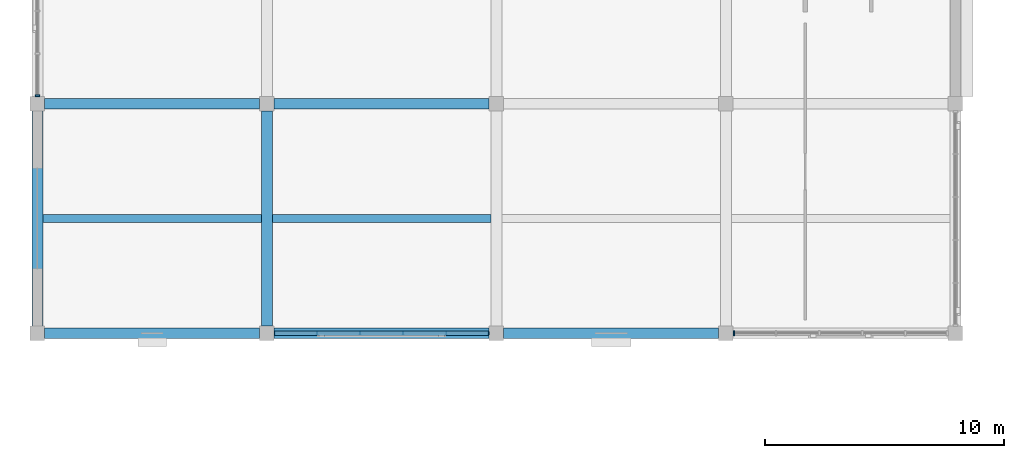
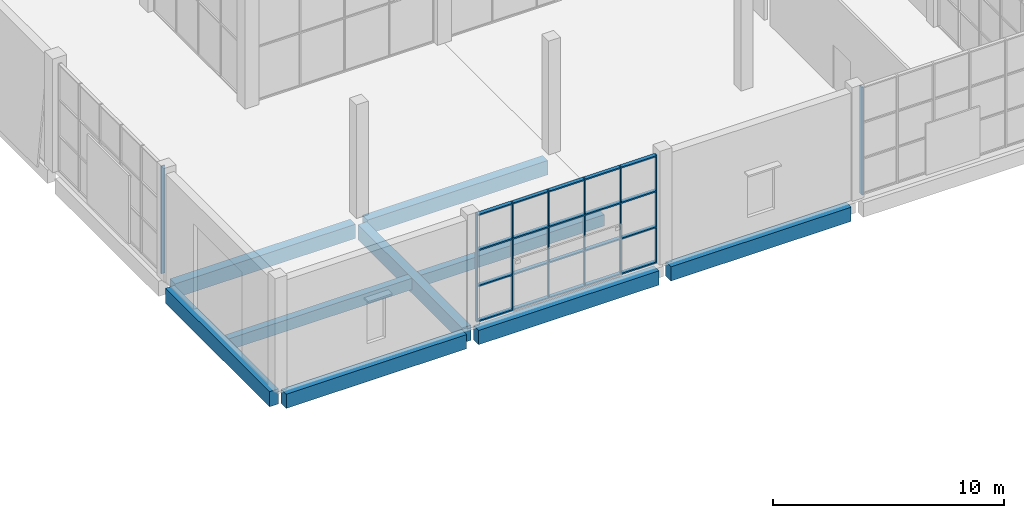
# One storey, part 17 of 84: 12 members, 9 beams, 3 elements without a shape of their own.
"""IFC4 building model written with IfcOpenShell, lengths in metres."""

from ifc_helpers import new_model, si_unit, direction, frame, origin, origin_2d, place, context, subcontext, project, spatial, rectangle, extrude, material, material_profile, profile_set, type_object, element, aggregate, save


model = new_model("IFC4")

# Units and contexts
model_context = context("Model", 3, precision=1e-05, world=origin(), true_north=direction((0.0, 1.0)))
body_context = subcontext(model_context, "Body", "Model", "MODEL_VIEW")
ifc_project = project(units=[si_unit("LENGTHUNIT", "METRE"), si_unit("AREAUNIT", "SQUARE_METRE"), si_unit("VOLUMEUNIT", "CUBIC_METRE"), si_unit("PLANEANGLEUNIT", "RADIAN"), si_unit("MASSUNIT", "GRAM", prefix="KILO")], contexts=[model_context])

# Site, building, storey
site_placement = place(None, origin())
site = spatial("IfcSite", under=ifc_project, at=site_placement, CompositionType="ELEMENT")
building_placement = place(site_placement, origin())
building = spatial("IfcBuilding", under=site, at=building_placement, Name="Shalvenor Court Art Gallery", CompositionType="ELEMENT")
storey_placement = place(building_placement, origin())
storey = spatial("IfcBuildingStorey", under=building, at=storey_placement, Name="L00", CompositionType="ELEMENT", Elevation=0.0)

# Beams
ifc_material_1 = material(Name="Concrete C40/50", Category="concrete")
ifc_material_profile_1 = material_profile(ifc_material_1, rectangle(XDim=0.449951171875, YDim=0.800048828125, at=origin_2d()), Name="RC 450x800")
ifc_profile_set_1 = profile_set([ifc_material_profile_1], Name="Concrete C40/50")
beam_type_1 = type_object("IfcBeamType", Name="B-03", PredefinedType="BEAM", material=ifc_profile_set_1)
for number, where, z_axis, x_axis, name in (
    (1, (0.0, 69.89990234375, -0.739990234375), (0.0, 1.0, 0.0), (-1.0, 0.0, 0.0), "L00 Girder BM-L00-B-03-0004"),
    (2, (9.60009765625, 69.89990234375, -0.739990234375), (0.0, 1.0, 0.0), (-1.0, 0.0, 0.0), "L00 Girder BM-L00-B-03-0012"),
):
    element("IfcBeam", number, at=place(storey_placement, frame(where, z_axis=z_axis, x_axis=x_axis)), inside=storey, type_object=beam_type_1, Name=name, PredefinedType="BEAM", context=body_context, shape_type="SweptSolid", body=[
        extrude(rectangle(XDim=0.449951171875, YDim=0.800048828125, at=origin_2d()), origin(), (0.0, 0.0, 1.0), 9.0),
    ])
ifc_material_2 = material(Name="Concrete C40/50", Category="concrete")
ifc_material_profile_2 = material_profile(ifc_material_2, rectangle(XDim=0.449951171875, YDim=0.75, at=origin_2d()), Name="RC 450x750")
ifc_profile_set_2 = profile_set([ifc_material_profile_2], Name="Concrete C40/50")
beam_type_2 = type_object("IfcBeamType", Name="B-04", PredefinedType="BEAM", material=ifc_profile_set_2)
for number, where, z_axis, x_axis, name in (
    (3, (0.300048828125, 69.60009765625, -0.715087890625), (1.0, 0.0, 0.0), (0.0, 1.0, 0.0), "L00 Girder BM-L00-B-04-0211"),
    (4, (9.89990234375, 69.60009765625, -0.715087890625), (1.0, 0.0, 0.0), (0.0, 1.0, 0.0), "L00 Girder BM-L00-B-04-0212"),
    (5, (19.5, 69.60009765625, -0.715087890625), (1.0, 0.0, 0.0), (0.0, 1.0, 0.0), "L00 Girder BM-L00-B-04-0213"),
    (6, (0.300048828125, 79.199951171875, -0.715087890625), (1.0, 0.0, 0.0), (0.0, 1.0, 0.0), "L00 Girder BM-L00-B-04-0219"),
    (7, (9.89990234375, 79.199951171875, -0.715087890625), (1.0, 0.0, 0.0), (0.0, 1.0, 0.0), "L00 Girder BM-L00-B-04-0220"),
):
    element("IfcBeam", number, at=place(storey_placement, frame(where, z_axis=z_axis, x_axis=x_axis)), inside=storey, type_object=beam_type_2, Name=name, PredefinedType="BEAM", context=body_context, shape_type="SweptSolid", body=[
        extrude(rectangle(XDim=0.449951171875, YDim=0.75, at=origin_2d()), origin(), (0.0, 0.0, 1.0), 9.0),
    ])

# Curtain wall, member
ifc_material_3 = material(Name="Anodised aluminium and low-iron glass curtain wall", Category="aluminium")
curtain_wall_type_1 = type_object("IfcCurtainWallType", Name="CW-5x3-90-57-111", PredefinedType="USERDEFINED", material=ifc_material_3)
curtain_wall_1_placement = place(storey_placement, origin())
curtain_wall_1 = element("IfcCurtainWall", 8, at=curtain_wall_1_placement, inside=storey, type_object=curtain_wall_type_1, Name="L00 V5 Curtain Wall CW-L00-156", ObjectType="CURTAIN WALL", PredefinedType="USERDEFINED")
ifc_material_4 = material(Name="Anodised aluminium mullion", Category="aluminium")
ifc_material_profile_3 = material_profile(ifc_material_4, rectangle(XDim=0.06494140625, YDim=0.179931640625, at=origin_2d()), Name="CWM-01")
ifc_profile_set_3 = profile_set([ifc_material_profile_3], Name="Anodised aluminium mullion")
member_type_1 = type_object("IfcMemberType", Name="CWM-01", PredefinedType="MULLION", material=ifc_profile_set_3)
member_1_placement = place(storey_placement, frame((0.0, 79.532470703125, 0.0), z_axis=(0.0, 0.0, 1.0), x_axis=(0.0, 1.0, 0.0)))
member_1 = element("IfcMember", 9, at=member_1_placement, type_object=member_type_1, Name="CW-5x3-90-57-111 mullion 1", PredefinedType="MULLION", context=body_context, shape_type="SweptSolid", body=[
    extrude(rectangle(XDim=0.06494140625, YDim=0.179931640625, at=origin_2d()), origin(), (0.0, 0.0, 1.0), 5.679931640625),
])
aggregate(curtain_wall_1, [member_1])

ifc_material_5 = material(Name="Anodised aluminium and low-iron glass curtain wall", Category="aluminium")
curtain_wall_type_2 = type_object("IfcCurtainWallType", Name="CW-5x3-90-57-421", PredefinedType="USERDEFINED", material=ifc_material_5)
curtain_wall_2_placement = place(storey_placement, origin())
curtain_wall_2 = element("IfcCurtainWall", 10, at=curtain_wall_2_placement, inside=storey, type_object=curtain_wall_type_2, Name="L00 V5 Curtain Wall CW-L00-154", ObjectType="CURTAIN WALL", PredefinedType="USERDEFINED")
ifc_material_6 = material(Name="Anodised aluminium mullion", Category="aluminium")
ifc_material_profile_4 = material_profile(ifc_material_6, rectangle(XDim=0.074951171875, YDim=0.219970703125, at=origin_2d()), Name="CWM-04")
ifc_profile_set_4 = profile_set([ifc_material_profile_4], Name="Anodised aluminium mullion")
member_type_2 = type_object("IfcMemberType", Name="CWM-04", PredefinedType="MULLION", material=ifc_profile_set_4)
member_2_placement = place(storey_placement, frame((29.137451171875, 69.60009765625, 0.0), z_axis=(0.0, 0.0, 1.0), x_axis=(-1.0, 0.0, 0.0)))
member_2 = element("IfcMember", 11, at=member_2_placement, type_object=member_type_2, Name="CW-5x3-90-57-421 mullion 6", PredefinedType="MULLION", context=body_context, shape_type="SweptSolid", body=[
    extrude(rectangle(XDim=0.074951171875, YDim=0.219970703125, at=origin_2d()), origin(), (0.0, 0.0, 1.0), 5.679931640625),
])
aggregate(curtain_wall_2, [member_2])

# Curtain wall, members
ifc_material_7 = material(Name="Anodised aluminium and low-iron glass curtain wall", Category="aluminium")
curtain_wall_type_3 = type_object("IfcCurtainWallType", Name="CW-5x3-90-57-641", PredefinedType="USERDEFINED", material=ifc_material_7)
curtain_wall_3_placement = place(storey_placement, origin())
curtain_wall_3 = element("IfcCurtainWall", 12, at=curtain_wall_3_placement, inside=storey, type_object=curtain_wall_type_3, Name="L00 V5 Curtain Wall CW-L00-155", ObjectType="CURTAIN WALL", PredefinedType="USERDEFINED")
ifc_material_8 = material(Name="Anodised aluminium mullion", Category="aluminium")
ifc_material_profile_5 = material_profile(ifc_material_8, rectangle(XDim=0.054931640625, YDim=0.139892578125, at=origin_2d()), Name="CWM-06")
ifc_profile_set_5 = profile_set([ifc_material_profile_5], Name="Anodised aluminium mullion")
member_type_3 = type_object("IfcMemberType", Name="CWM-06", PredefinedType="MULLION", material=ifc_profile_set_5)
member_3_placement = place(storey_placement, frame((18.87255859375, 69.60009765625, 0.0), z_axis=(0.0, 0.0, 1.0), x_axis=(-1.0, 0.0, 0.0)))
member_3 = element("IfcMember", 13, at=member_3_placement, type_object=member_type_3, Name="CW-5x3-90-57-641 mullion 1", PredefinedType="MULLION", context=body_context, shape_type="SweptSolid", body=[
    extrude(rectangle(XDim=0.054931640625, YDim=0.139892578125, at=origin_2d()), origin(), (0.0, 0.0, 1.0), 5.679931640625),
])
member_4_placement = place(storey_placement, frame((17.10009765625, 69.60009765625, 0.0), z_axis=(0.0, 0.0, 1.0), x_axis=(-1.0, 0.0, 0.0)))
member_4 = element("IfcMember", 14, at=member_4_placement, type_object=member_type_3, Name="CW-5x3-90-57-641 mullion 2", PredefinedType="MULLION", context=body_context, shape_type="SweptSolid", body=[
    extrude(rectangle(XDim=0.054931640625, YDim=0.139892578125, at=origin_2d()), origin(), (0.0, 0.0, 1.0), 5.679931640625),
])
member_5_placement = place(storey_placement, frame((15.300048828125, 69.60009765625, 0.0), z_axis=(0.0, 0.0, 1.0), x_axis=(-1.0, 0.0, 0.0)))
member_5 = element("IfcMember", 15, at=member_5_placement, type_object=member_type_3, Name="CW-5x3-90-57-641 mullion 3", PredefinedType="MULLION", context=body_context, shape_type="SweptSolid", body=[
    extrude(rectangle(XDim=0.054931640625, YDim=0.139892578125, at=origin_2d()), origin(), (0.0, 0.0, 1.0), 5.679931640625),
])
member_6_placement = place(storey_placement, frame((13.5, 69.60009765625, 0.0), z_axis=(0.0, 0.0, 1.0), x_axis=(-1.0, 0.0, 0.0)))
member_6 = element("IfcMember", 16, at=member_6_placement, type_object=member_type_3, Name="CW-5x3-90-57-641 mullion 4", PredefinedType="MULLION", context=body_context, shape_type="SweptSolid", body=[
    extrude(rectangle(XDim=0.054931640625, YDim=0.139892578125, at=origin_2d()), origin(), (0.0, 0.0, 1.0), 5.679931640625),
])
member_7_placement = place(storey_placement, frame((11.699951171875, 69.60009765625, 0.0), z_axis=(0.0, 0.0, 1.0), x_axis=(-1.0, 0.0, 0.0)))
member_7 = element("IfcMember", 17, at=member_7_placement, type_object=member_type_3, Name="CW-5x3-90-57-641 mullion 5", PredefinedType="MULLION", context=body_context, shape_type="SweptSolid", body=[
    extrude(rectangle(XDim=0.054931640625, YDim=0.139892578125, at=origin_2d()), origin(), (0.0, 0.0, 1.0), 5.679931640625),
])
member_8_placement = place(storey_placement, frame((9.927490234375, 69.60009765625, 0.0), z_axis=(0.0, 0.0, 1.0), x_axis=(-1.0, 0.0, 0.0)))
member_8 = element("IfcMember", 18, at=member_8_placement, type_object=member_type_3, Name="CW-5x3-90-57-641 mullion 6", PredefinedType="MULLION", context=body_context, shape_type="SweptSolid", body=[
    extrude(rectangle(XDim=0.054931640625, YDim=0.139892578125, at=origin_2d()), origin(), (0.0, 0.0, 1.0), 5.679931640625),
])
ifc_material_9 = material(Name="Anodised aluminium transom", Category="aluminium")
ifc_material_profile_6 = material_profile(ifc_material_9, rectangle(XDim=0.18994140625, YDim=0.070068359375, at=origin_2d()), Name="CWT-04")
ifc_profile_set_6 = profile_set([ifc_material_profile_6], Name="Anodised aluminium transom")
member_type_4 = type_object("IfcMemberType", Name="CWT-04", PredefinedType="USERDEFINED", material=ifc_profile_set_6)
member_9_placement = place(storey_placement, frame((18.87255859375, 69.60009765625, 0.034912109375), z_axis=(-1.0, 0.0, 0.0), x_axis=(0.0, -1.0, 0.0)))
member_9 = element("IfcMember", 19, at=member_9_placement, type_object=member_type_4, Name="CW-5x3-90-57-641 transom 1", ObjectType="TRANSOM", PredefinedType="USERDEFINED", context=body_context, shape_type="SweptSolid", body=[
    extrude(rectangle(XDim=0.18994140625, YDim=0.070068359375, at=origin_2d()), origin(), (0.0, 0.0, 1.0), 8.945068359375),
])
member_10_placement = place(storey_placement, frame((18.87255859375, 69.60009765625, 1.893310546875), z_axis=(-1.0, 0.0, 0.0), x_axis=(0.0, -1.0, 0.0)))
member_10 = element("IfcMember", 20, at=member_10_placement, type_object=member_type_4, Name="CW-5x3-90-57-641 transom 2", ObjectType="TRANSOM", PredefinedType="USERDEFINED", context=body_context, shape_type="SweptSolid", body=[
    extrude(rectangle(XDim=0.18994140625, YDim=0.070068359375, at=origin_2d()), origin(), (0.0, 0.0, 1.0), 8.945068359375),
])
member_11_placement = place(storey_placement, frame((18.87255859375, 69.60009765625, 3.78662109375), z_axis=(-1.0, 0.0, 0.0), x_axis=(0.0, -1.0, 0.0)))
member_11 = element("IfcMember", 21, at=member_11_placement, type_object=member_type_4, Name="CW-5x3-90-57-641 transom 3", ObjectType="TRANSOM", PredefinedType="USERDEFINED", context=body_context, shape_type="SweptSolid", body=[
    extrude(rectangle(XDim=0.18994140625, YDim=0.070068359375, at=origin_2d()), origin(), (0.0, 0.0, 1.0), 8.945068359375),
])
member_12_placement = place(storey_placement, frame((18.87255859375, 69.60009765625, 5.64501953125), z_axis=(-1.0, 0.0, 0.0), x_axis=(0.0, -1.0, 0.0)))
member_12 = element("IfcMember", 22, at=member_12_placement, type_object=member_type_4, Name="CW-5x3-90-57-641 transom 4", ObjectType="TRANSOM", PredefinedType="USERDEFINED", context=body_context, shape_type="SweptSolid", body=[
    extrude(rectangle(XDim=0.18994140625, YDim=0.070068359375, at=origin_2d()), origin(), (0.0, 0.0, 1.0), 8.945068359375),
])
aggregate(curtain_wall_3, [member_3, member_4, member_5, member_6, member_7, member_8, member_9, member_10, member_11, member_12])

# Beams
ifc_material_10 = material(Name="Concrete C40/50", Category="concrete")
ifc_material_profile_7 = material_profile(ifc_material_10, rectangle(XDim=0.35009765625, YDim=0.60009765625, at=origin_2d()), Name="RC 350x600")
ifc_profile_set_7 = profile_set([ifc_material_profile_7], Name="Concrete C40/50")
beam_type_3 = type_object("IfcBeamType", Name="J-01", PredefinedType="JOIST", material=ifc_profile_set_7)
beam_1_placement = place(storey_placement, frame((0.22509765625, 74.39990234375, -0.639892578125), z_axis=(1.0, 0.0, 0.0), x_axis=(0.0, 1.0, 0.0)))
element("IfcBeam", 23, at=beam_1_placement, inside=storey, type_object=beam_type_3, Name="L00 Secondary Beam JST-L00-J-01-0281", PredefinedType="JOIST", context=body_context, shape_type="SweptSolid", body=[
    extrude(rectangle(XDim=0.35009765625, YDim=0.60009765625, at=origin_2d()), origin(), (0.0, 0.0, 1.0), 9.14990234375),
])
beam_2_placement = place(storey_placement, frame((9.824951171875, 74.39990234375, -0.639892578125), z_axis=(1.0, 0.0, 0.0), x_axis=(0.0, 1.0, 0.0)))
element("IfcBeam", 24, at=beam_2_placement, inside=storey, type_object=beam_type_3, Name="L00 Secondary Beam JST-L00-J-01-0288", PredefinedType="JOIST", context=body_context, shape_type="SweptSolid", body=[
    extrude(rectangle(XDim=0.35009765625, YDim=0.60009765625, at=origin_2d()), origin(), (0.0, 0.0, 1.0), 9.150146484375),
])

save(model, "model.ifc")
